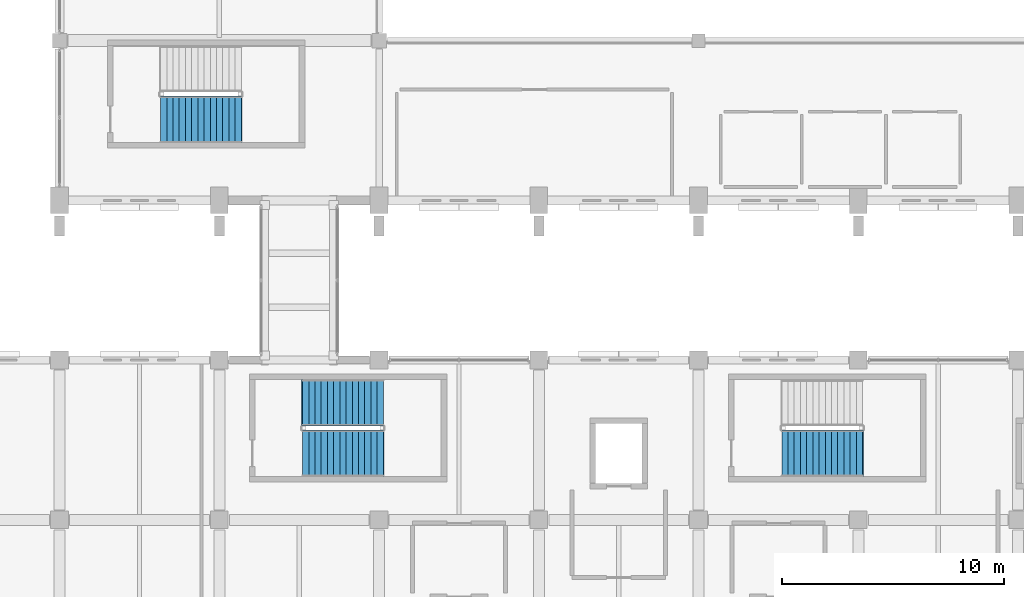
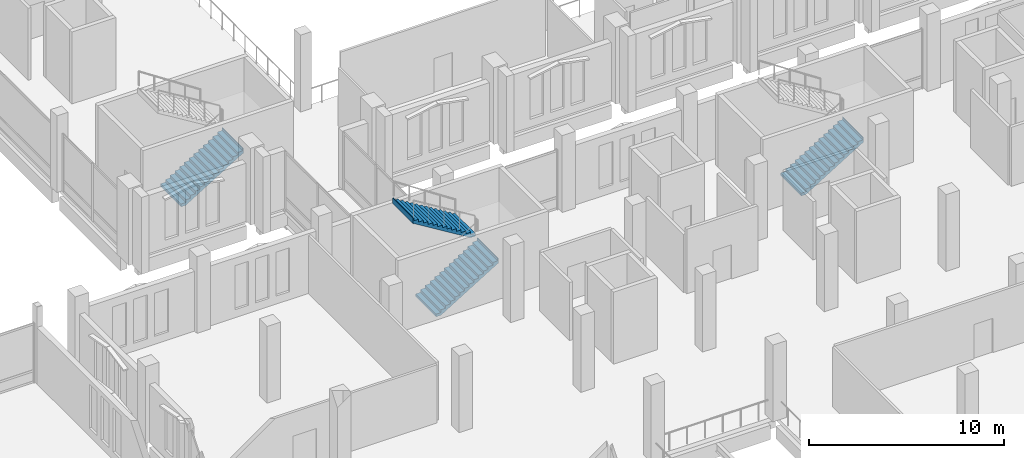
# One storey, part 187 of 220: 4 stair flights, 3 elements without a shape of their own.
"""IFC4 building model written with IfcOpenShell, lengths in metres."""

from ifc_helpers import new_model, si_unit, direction, frame, origin, place, context, subcontext, project, spatial, triangles, material, type_object, element, aggregate, save


model = new_model("IFC4")

# Units and contexts
model_context = context("Model", 3, precision=1e-05, world=origin(), true_north=direction((0.0, 1.0)))
body_context = subcontext(model_context, "Body", "Model", "MODEL_VIEW")
ifc_project = project(units=[si_unit("LENGTHUNIT", "METRE"), si_unit("AREAUNIT", "SQUARE_METRE"), si_unit("VOLUMEUNIT", "CUBIC_METRE"), si_unit("PLANEANGLEUNIT", "RADIAN"), si_unit("MASSUNIT", "GRAM", prefix="KILO")], contexts=[model_context])

# Site, building, storey
site_placement = place(None, origin())
site = spatial("IfcSite", under=ifc_project, at=site_placement, CompositionType="ELEMENT")
building_placement = place(site_placement, origin())
building = spatial("IfcBuilding", under=site, at=building_placement, Name="Cendralis Lancet Convention Centre", CompositionType="ELEMENT")
storey_placement = place(building_placement, frame((0.0, 0.0, 5.39990234375)))
storey = spatial("IfcBuildingStorey", under=building, at=storey_placement, Name="L01", CompositionType="ELEMENT", Elevation=5.39990234375)

# Stair, stair flight
ifc_material = material(Name="Concrete G35 (C35/45)", Category="concrete")
stair_type = type_object("IfcStairType", Name="ARC-ST-CORE", PredefinedType="HALF_TURN_STAIR", material=ifc_material)
stair_1_placement = place(storey_placement, origin())
stair_1 = element("IfcStair", 1, at=stair_1_placement, inside=storey, type_object=stair_type, Name="L01 Protected Exit Stair ST-08", PredefinedType="HALF_TURN_STAIR")
stair_flight_type = type_object("IfcStairFlightType", Name="ARC-SF-CORE", PredefinedType="STRAIGHT", material=ifc_material)
stair_flight_1_placement = place(storey_placement, frame((143.75, 46.85009765625, 0.0), z_axis=(0.0, 0.0, 1.0), x_axis=(1.0, 0.0, 0.0)))
stair_flight_1 = element("IfcStairFlight", 2, at=stair_flight_1_placement, type_object=stair_flight_type, Name="ST-08 flight 1", NumberOfRisers=14, NumberOfTreads=13, PredefinedType="STRAIGHT", RiserHeight=0.171428571, TreadLength=0.28, context=body_context, shape_type="Tessellation", body=[
    triangles([(0.0, 0.0, 0.085714), (0.0, 1.050049, 0.0), (0.0, -1.050049, 0.0), (0.0, -1.050049, 0.171429), (0.0, 1.050049, 0.171429), (0.14, 0.0, 0.171429), (0.28, -1.050049, 0.171429), (0.28, 1.050049, 0.171429), (0.14, 0.0, 0.0), (0.28, -1.050049, 0.0), (0.28, 1.050049, 0.0), (0.28, 0.0, 0.257143), (0.28, -1.050049, 0.342857), (0.28, 1.050049, 0.342857), (0.283543, 0.0, 0.342857), (0.287085, -1.050049, 0.342857), (0.287085, 1.050049, 0.342857), (0.283543, 0.0, 0.0), (0.287085, -1.050049, 0.0), (0.287085, 1.050049, 0.0), (0.423543, 0.0, 0.342857), (0.56, -1.050049, 0.342857), (0.56, 1.050049, 0.342857), (0.423543, 0.0, 0.083545), (0.56, -1.050049, 0.167091), (0.56, 1.050049, 0.167091), (0.56, 0.0, 0.428572), (0.56, -1.050049, 0.514286), (0.56, 1.050049, 0.514286), (0.7, 0.0, 0.514286), (0.84, -1.050049, 0.514286), (0.84, 1.050049, 0.514286), (0.7, 0.0, 0.252806), (0.84, -1.050049, 0.33852), (0.84, 1.050049, 0.33852), (0.84, 0.0, 0.6), (0.84, -1.050049, 0.685714), (0.84, 1.050049, 0.685714), (0.98, 0.0, 0.685714), (1.12, -1.050049, 0.685714), (1.12, 1.050049, 0.685714), (0.98, 0.0, 0.424234), (1.12, -1.050049, 0.509948), (1.12, 1.050049, 0.509948), (1.12, 0.0, 0.771429), (1.12, -1.050049, 0.857143), (1.12, 1.050049, 0.857143), (1.26, 0.0, 0.857143), (1.4, -1.050049, 0.857143), (1.4, 1.050049, 0.857143), (1.26, 0.0, 0.595662), (1.4, -1.050049, 0.681377), (1.4, 1.050049, 0.681377), (1.4, 0.0, 0.942857), (1.4, -1.050049, 1.028571), (1.4, 1.050049, 1.028571), (1.54, 0.0, 1.028571), (1.68, -1.050049, 1.028571), (1.68, 1.050049, 1.028571), (1.54, 0.0, 0.767091), (1.68, -1.050049, 0.852805), (1.68, 1.050049, 0.852805), (1.68, 0.0, 1.114286), (1.68, -1.050049, 1.2), (1.68, 1.050049, 1.2), (1.82, 0.0, 1.2), (1.96, -1.050049, 1.2), (1.96, 1.050049, 1.2), (1.82, 0.0, 0.938519), (1.96, -1.050049, 1.024234), (1.96, 1.050049, 1.024234), (1.96, 0.0, 1.285715), (1.96, -1.050049, 1.371429), (1.96, 1.050049, 1.371429), (2.1, 0.0, 1.371429), (2.24, -1.050049, 1.371429), (2.24, 1.050049, 1.371429), (2.1, 0.0, 1.109948), (2.24, -1.050049, 1.195662), (2.24, 1.050049, 1.195662), (2.24, 0.0, 1.457143), (2.24, -1.050049, 1.542857), (2.24, 1.050049, 1.542857), (2.38, 0.0, 1.542857), (2.52, -1.050049, 1.542857), (2.52, 1.050049, 1.542857), (2.38, 0.0, 1.281376), (2.52, -1.050049, 1.367091), (2.52, 1.050049, 1.367091), (2.52, 0.0, 1.628572), (2.52, -1.050049, 1.714286), (2.52, 1.050049, 1.714286), (2.66, 0.0, 1.714286), (2.8, -1.050049, 1.714286), (2.8, 1.050049, 1.714286), (2.66, 0.0, 1.452806), (2.8, -1.050049, 1.53852), (2.8, 1.050049, 1.53852), (2.8, 0.0, 1.8), (2.8, -1.050049, 1.885714), (2.8, 1.050049, 1.885714), (2.94, 0.0, 1.885714), (3.08, -1.050049, 1.885714), (3.08, 1.050049, 1.885714), (2.94, 0.0, 1.624234), (3.08, -1.050049, 1.709948), (3.08, 1.050049, 1.709948), (3.08, 0.0, 1.971429), (3.08, -1.050049, 2.057143), (3.08, 1.050049, 2.057143), (3.22, 0.0, 2.057143), (3.36, -1.050049, 2.057143), (3.36, 1.050049, 2.057143), (3.22, 0.0, 1.795663), (3.36, -1.050049, 1.881377), (3.36, 1.050049, 1.881377), (3.36, 0.0, 2.142857), (3.36, -1.050049, 2.228571), (3.36, 1.050049, 2.228571), (3.5, 0.0, 2.228571), (3.64, -1.050049, 2.228571), (3.64, 1.050049, 2.228571), (3.5, 0.0, 1.967091), (3.64, -1.050049, 2.052805), (3.64, 1.050049, 2.052805), (3.64, 0.0, 2.314285), (3.64, -1.050049, 2.4), (3.64, 1.050049, 2.4), (3.66, 0.0, 2.4), (3.68, -1.050049, 2.4), (3.68, 1.050049, 2.4), (3.66, 0.0, 2.052805), (3.68, -1.050049, 2.052805), (3.68, 1.050049, 2.052805), (3.68, 0.0, 2.226403)], [[2, 3, 1], [3, 4, 1], [4, 5, 1], [5, 2, 1], [4, 7, 6], [7, 8, 6], [8, 5, 6], [5, 4, 6], [10, 3, 9], [3, 2, 9], [2, 11, 9], [11, 10, 9], [3, 10, 7], [3, 7, 4], [2, 8, 11], [2, 5, 8], [8, 7, 12], [7, 13, 12], [13, 14, 12], [14, 8, 12], [13, 16, 15], [16, 17, 15], [17, 14, 15], [14, 13, 15], [19, 10, 18], [10, 11, 18], [11, 20, 18], [20, 19, 18], [10, 19, 16], [10, 16, 7], [7, 16, 13], [11, 17, 20], [11, 8, 17], [8, 14, 17], [16, 22, 21], [22, 23, 21], [23, 17, 21], [17, 16, 21], [25, 19, 24], [19, 20, 24], [20, 26, 24], [26, 25, 24], [19, 25, 22], [19, 22, 16], [20, 23, 26], [20, 17, 23], [23, 22, 27], [22, 28, 27], [28, 29, 27], [29, 23, 27], [28, 31, 30], [31, 32, 30], [32, 29, 30], [29, 28, 30], [34, 25, 33], [25, 26, 33], [26, 35, 33], [35, 34, 33], [25, 34, 31], [25, 31, 22], [22, 31, 28], [26, 32, 35], [26, 23, 32], [23, 29, 32], [32, 31, 36], [31, 37, 36], [37, 38, 36], [38, 32, 36], [37, 40, 39], [40, 41, 39], [41, 38, 39], [38, 37, 39], [43, 34, 42], [34, 35, 42], [35, 44, 42], [44, 43, 42], [34, 43, 40], [34, 40, 31], [31, 40, 37], [35, 41, 44], [35, 32, 41], [32, 38, 41], [41, 40, 45], [40, 46, 45], [46, 47, 45], [47, 41, 45], [46, 49, 48], [49, 50, 48], [50, 47, 48], [47, 46, 48], [52, 43, 51], [43, 44, 51], [44, 53, 51], [53, 52, 51], [43, 52, 49], [43, 49, 40], [40, 49, 46], [44, 50, 53], [44, 41, 50], [41, 47, 50], [50, 49, 54], [49, 55, 54], [55, 56, 54], [56, 50, 54], [55, 58, 57], [58, 59, 57], [59, 56, 57], [56, 55, 57], [61, 52, 60], [52, 53, 60], [53, 62, 60], [62, 61, 60], [52, 61, 58], [52, 58, 49], [49, 58, 55], [53, 59, 62], [53, 50, 59], [50, 56, 59], [59, 58, 63], [58, 64, 63], [64, 65, 63], [65, 59, 63], [64, 67, 66], [67, 68, 66], [68, 65, 66], [65, 64, 66], [70, 61, 69], [61, 62, 69], [62, 71, 69], [71, 70, 69], [61, 70, 67], [61, 67, 58], [58, 67, 64], [62, 68, 71], [62, 59, 68], [59, 65, 68], [68, 67, 72], [67, 73, 72], [73, 74, 72], [74, 68, 72], [73, 76, 75], [76, 77, 75], [77, 74, 75], [74, 73, 75], [79, 70, 78], [70, 71, 78], [71, 80, 78], [80, 79, 78], [70, 79, 76], [70, 76, 67], [67, 76, 73], [71, 77, 80], [71, 68, 77], [68, 74, 77], [77, 76, 81], [76, 82, 81], [82, 83, 81], [83, 77, 81], [82, 85, 84], [85, 86, 84], [86, 83, 84], [83, 82, 84], [88, 79, 87], [79, 80, 87], [80, 89, 87], [89, 88, 87], [79, 88, 85], [79, 85, 76], [76, 85, 82], [80, 86, 89], [80, 77, 86], [77, 83, 86], [86, 85, 90], [85, 91, 90], [91, 92, 90], [92, 86, 90], [91, 94, 93], [94, 95, 93], [95, 92, 93], [92, 91, 93], [97, 88, 96], [88, 89, 96], [89, 98, 96], [98, 97, 96], [88, 97, 94], [88, 94, 85], [85, 94, 91], [89, 95, 98], [89, 86, 95], [86, 92, 95], [95, 94, 99], [94, 100, 99], [100, 101, 99], [101, 95, 99], [100, 103, 102], [103, 104, 102], [104, 101, 102], [101, 100, 102], [106, 97, 105], [97, 98, 105], [98, 107, 105], [107, 106, 105], [97, 106, 103], [97, 103, 94], [94, 103, 100], [98, 104, 107], [98, 95, 104], [95, 101, 104], [104, 103, 108], [103, 109, 108], [109, 110, 108], [110, 104, 108], [109, 112, 111], [112, 113, 111], [113, 110, 111], [110, 109, 111], [115, 106, 114], [106, 107, 114], [107, 116, 114], [116, 115, 114], [106, 115, 112], [106, 112, 103], [103, 112, 109], [107, 113, 116], [107, 104, 113], [104, 110, 113], [113, 112, 117], [112, 118, 117], [118, 119, 117], [119, 113, 117], [118, 121, 120], [121, 122, 120], [122, 119, 120], [119, 118, 120], [124, 115, 123], [115, 116, 123], [116, 125, 123], [125, 124, 123], [115, 124, 121], [115, 121, 112], [112, 121, 118], [116, 122, 125], [116, 113, 122], [113, 119, 122], [122, 121, 126], [121, 127, 126], [127, 128, 126], [128, 122, 126], [127, 130, 129], [130, 131, 129], [131, 128, 129], [128, 127, 129], [133, 124, 132], [124, 125, 132], [125, 134, 132], [134, 133, 132], [124, 133, 130], [124, 130, 121], [121, 130, 127], [125, 131, 134], [125, 122, 131], [122, 128, 131], [133, 134, 135], [134, 131, 135], [131, 130, 135], [130, 133, 135]], closed=True),
])
aggregate(stair_1, [stair_flight_1])

# Stair, stair flights
stair_2_placement = place(storey_placement, origin())
stair_2 = element("IfcStair", 3, at=stair_2_placement, inside=storey, type_object=stair_type, Name="L01 Protected Exit Stair ST-13", PredefinedType="HALF_TURN_STAIR")
stair_flight_2_placement = place(storey_placement, frame((150.14990234375, 31.800048828125, 0.0), z_axis=(0.0, 0.0, 1.0), x_axis=(1.0, 0.0, 0.0)))
stair_flight_2 = element("IfcStairFlight", 4, at=stair_flight_2_placement, type_object=stair_flight_type, Name="ST-13 flight 1", NumberOfRisers=14, NumberOfTreads=13, PredefinedType="STRAIGHT", RiserHeight=0.171428571, TreadLength=0.28, context=body_context, shape_type="Tessellation", body=[
    triangles([(0.0, 0.0, 0.085714), (0.0, 1.050049, 0.0), (0.0, -1.050049, 0.0), (0.0, -1.050049, 0.171429), (0.0, 1.050049, 0.171429), (0.14, 0.0, 0.171429), (0.28, -1.050049, 0.171429), (0.28, 1.050049, 0.171429), (0.14, 0.0, 0.0), (0.28, -1.050049, 0.0), (0.28, 1.050049, 0.0), (0.28, 0.0, 0.257143), (0.28, -1.050049, 0.342857), (0.28, 1.050049, 0.342857), (0.283543, 0.0, 0.342857), (0.287085, -1.050049, 0.342857), (0.287085, 1.050049, 0.342857), (0.283543, 0.0, 0.0), (0.287085, -1.050049, 0.0), (0.287085, 1.050049, 0.0), (0.423543, 0.0, 0.342857), (0.56, -1.050049, 0.342857), (0.56, 1.050049, 0.342857), (0.423543, 0.0, 0.083545), (0.56, -1.050049, 0.167091), (0.56, 1.050049, 0.167091), (0.56, 0.0, 0.428572), (0.56, -1.050049, 0.514286), (0.56, 1.050049, 0.514286), (0.7, 0.0, 0.514286), (0.84, -1.050049, 0.514286), (0.84, 1.050049, 0.514286), (0.7, 0.0, 0.252806), (0.84, -1.050049, 0.33852), (0.84, 1.050049, 0.33852), (0.84, 0.0, 0.6), (0.84, -1.050049, 0.685714), (0.84, 1.050049, 0.685714), (0.98, 0.0, 0.685714), (1.12, -1.050049, 0.685714), (1.12, 1.050049, 0.685714), (0.98, 0.0, 0.424234), (1.12, -1.050049, 0.509948), (1.12, 1.050049, 0.509948), (1.12, 0.0, 0.771429), (1.12, -1.050049, 0.857143), (1.12, 1.050049, 0.857143), (1.26, 0.0, 0.857143), (1.4, -1.050049, 0.857143), (1.4, 1.050049, 0.857143), (1.26, 0.0, 0.595662), (1.4, -1.050049, 0.681377), (1.4, 1.050049, 0.681377), (1.4, 0.0, 0.942857), (1.4, -1.050049, 1.028571), (1.4, 1.050049, 1.028571), (1.54, 0.0, 1.028571), (1.68, -1.050049, 1.028571), (1.68, 1.050049, 1.028571), (1.54, 0.0, 0.767091), (1.68, -1.050049, 0.852805), (1.68, 1.050049, 0.852805), (1.68, 0.0, 1.114286), (1.68, -1.050049, 1.2), (1.68, 1.050049, 1.2), (1.82, 0.0, 1.2), (1.96, -1.050049, 1.2), (1.96, 1.050049, 1.2), (1.82, 0.0, 0.938519), (1.96, -1.050049, 1.024234), (1.96, 1.050049, 1.024234), (1.96, 0.0, 1.285715), (1.96, -1.050049, 1.371429), (1.96, 1.050049, 1.371429), (2.1, 0.0, 1.371429), (2.24, -1.050049, 1.371429), (2.24, 1.050049, 1.371429), (2.1, 0.0, 1.109948), (2.24, -1.050049, 1.195662), (2.24, 1.050049, 1.195662), (2.24, 0.0, 1.457143), (2.24, -1.050049, 1.542857), (2.24, 1.050049, 1.542857), (2.38, 0.0, 1.542857), (2.52, -1.050049, 1.542857), (2.52, 1.050049, 1.542857), (2.38, 0.0, 1.281376), (2.52, -1.050049, 1.367091), (2.52, 1.050049, 1.367091), (2.52, 0.0, 1.628572), (2.52, -1.050049, 1.714286), (2.52, 1.050049, 1.714286), (2.66, 0.0, 1.714286), (2.8, -1.050049, 1.714286), (2.8, 1.050049, 1.714286), (2.66, 0.0, 1.452806), (2.8, -1.050049, 1.53852), (2.8, 1.050049, 1.53852), (2.8, 0.0, 1.8), (2.8, -1.050049, 1.885714), (2.8, 1.050049, 1.885714), (2.94, 0.0, 1.885714), (3.08, -1.050049, 1.885714), (3.08, 1.050049, 1.885714), (2.94, 0.0, 1.624234), (3.08, -1.050049, 1.709948), (3.08, 1.050049, 1.709948), (3.08, 0.0, 1.971429), (3.08, -1.050049, 2.057143), (3.08, 1.050049, 2.057143), (3.22, 0.0, 2.057143), (3.36, -1.050049, 2.057143), (3.36, 1.050049, 2.057143), (3.22, 0.0, 1.795663), (3.36, -1.050049, 1.881377), (3.36, 1.050049, 1.881377), (3.36, 0.0, 2.142857), (3.36, -1.050049, 2.228571), (3.36, 1.050049, 2.228571), (3.5, 0.0, 2.228571), (3.64, -1.050049, 2.228571), (3.64, 1.050049, 2.228571), (3.5, 0.0, 1.967091), (3.64, -1.050049, 2.052805), (3.64, 1.050049, 2.052805), (3.64, 0.0, 2.314285), (3.64, -1.050049, 2.4), (3.64, 1.050049, 2.4), (3.66, 0.0, 2.4), (3.68, -1.050049, 2.4), (3.68, 1.050049, 2.4), (3.66, 0.0, 2.052805), (3.68, -1.050049, 2.052805), (3.68, 1.050049, 2.052805), (3.68, 0.0, 2.226403)], [[2, 3, 1], [3, 4, 1], [4, 5, 1], [5, 2, 1], [4, 7, 6], [7, 8, 6], [8, 5, 6], [5, 4, 6], [10, 3, 9], [3, 2, 9], [2, 11, 9], [11, 10, 9], [3, 10, 7], [3, 7, 4], [2, 8, 11], [2, 5, 8], [8, 7, 12], [7, 13, 12], [13, 14, 12], [14, 8, 12], [13, 16, 15], [16, 17, 15], [17, 14, 15], [14, 13, 15], [19, 10, 18], [10, 11, 18], [11, 20, 18], [20, 19, 18], [10, 19, 16], [10, 16, 7], [7, 16, 13], [11, 17, 20], [11, 8, 17], [8, 14, 17], [16, 22, 21], [22, 23, 21], [23, 17, 21], [17, 16, 21], [25, 19, 24], [19, 20, 24], [20, 26, 24], [26, 25, 24], [19, 25, 22], [19, 22, 16], [20, 23, 26], [20, 17, 23], [23, 22, 27], [22, 28, 27], [28, 29, 27], [29, 23, 27], [28, 31, 30], [31, 32, 30], [32, 29, 30], [29, 28, 30], [34, 25, 33], [25, 26, 33], [26, 35, 33], [35, 34, 33], [25, 34, 31], [25, 31, 22], [22, 31, 28], [26, 32, 35], [26, 23, 32], [23, 29, 32], [32, 31, 36], [31, 37, 36], [37, 38, 36], [38, 32, 36], [37, 40, 39], [40, 41, 39], [41, 38, 39], [38, 37, 39], [43, 34, 42], [34, 35, 42], [35, 44, 42], [44, 43, 42], [34, 43, 40], [34, 40, 31], [31, 40, 37], [35, 41, 44], [35, 32, 41], [32, 38, 41], [41, 40, 45], [40, 46, 45], [46, 47, 45], [47, 41, 45], [46, 49, 48], [49, 50, 48], [50, 47, 48], [47, 46, 48], [52, 43, 51], [43, 44, 51], [44, 53, 51], [53, 52, 51], [43, 52, 49], [43, 49, 40], [40, 49, 46], [44, 50, 53], [44, 41, 50], [41, 47, 50], [50, 49, 54], [49, 55, 54], [55, 56, 54], [56, 50, 54], [55, 58, 57], [58, 59, 57], [59, 56, 57], [56, 55, 57], [61, 52, 60], [52, 53, 60], [53, 62, 60], [62, 61, 60], [52, 61, 58], [52, 58, 49], [49, 58, 55], [53, 59, 62], [53, 50, 59], [50, 56, 59], [59, 58, 63], [58, 64, 63], [64, 65, 63], [65, 59, 63], [64, 67, 66], [67, 68, 66], [68, 65, 66], [65, 64, 66], [70, 61, 69], [61, 62, 69], [62, 71, 69], [71, 70, 69], [61, 70, 67], [61, 67, 58], [58, 67, 64], [62, 68, 71], [62, 59, 68], [59, 65, 68], [68, 67, 72], [67, 73, 72], [73, 74, 72], [74, 68, 72], [73, 76, 75], [76, 77, 75], [77, 74, 75], [74, 73, 75], [79, 70, 78], [70, 71, 78], [71, 80, 78], [80, 79, 78], [70, 79, 76], [70, 76, 67], [67, 76, 73], [71, 77, 80], [71, 68, 77], [68, 74, 77], [77, 76, 81], [76, 82, 81], [82, 83, 81], [83, 77, 81], [82, 85, 84], [85, 86, 84], [86, 83, 84], [83, 82, 84], [88, 79, 87], [79, 80, 87], [80, 89, 87], [89, 88, 87], [79, 88, 85], [79, 85, 76], [76, 85, 82], [80, 86, 89], [80, 77, 86], [77, 83, 86], [86, 85, 90], [85, 91, 90], [91, 92, 90], [92, 86, 90], [91, 94, 93], [94, 95, 93], [95, 92, 93], [92, 91, 93], [97, 88, 96], [88, 89, 96], [89, 98, 96], [98, 97, 96], [88, 97, 94], [88, 94, 85], [85, 94, 91], [89, 95, 98], [89, 86, 95], [86, 92, 95], [95, 94, 99], [94, 100, 99], [100, 101, 99], [101, 95, 99], [100, 103, 102], [103, 104, 102], [104, 101, 102], [101, 100, 102], [106, 97, 105], [97, 98, 105], [98, 107, 105], [107, 106, 105], [97, 106, 103], [97, 103, 94], [94, 103, 100], [98, 104, 107], [98, 95, 104], [95, 101, 104], [104, 103, 108], [103, 109, 108], [109, 110, 108], [110, 104, 108], [109, 112, 111], [112, 113, 111], [113, 110, 111], [110, 109, 111], [115, 106, 114], [106, 107, 114], [107, 116, 114], [116, 115, 114], [106, 115, 112], [106, 112, 103], [103, 112, 109], [107, 113, 116], [107, 104, 113], [104, 110, 113], [113, 112, 117], [112, 118, 117], [118, 119, 117], [119, 113, 117], [118, 121, 120], [121, 122, 120], [122, 119, 120], [119, 118, 120], [124, 115, 123], [115, 116, 123], [116, 125, 123], [125, 124, 123], [115, 124, 121], [115, 121, 112], [112, 121, 118], [116, 122, 125], [116, 113, 122], [113, 119, 122], [122, 121, 126], [121, 127, 126], [127, 128, 126], [128, 122, 126], [127, 130, 129], [130, 131, 129], [131, 128, 129], [128, 127, 129], [133, 124, 132], [124, 125, 132], [125, 134, 132], [134, 133, 132], [124, 133, 130], [124, 130, 121], [121, 130, 127], [125, 131, 134], [125, 122, 131], [122, 128, 131], [133, 134, 135], [134, 131, 135], [131, 130, 135], [130, 133, 135]], closed=True),
])
stair_flight_3_placement = place(storey_placement, frame((153.7900390625, 34.080078125, 2.400146484375), z_axis=(0.0, 0.0, 1.0), x_axis=(-1.0, 0.0, 0.0)))
stair_flight_3 = element("IfcStairFlight", 5, at=stair_flight_3_placement, type_object=stair_flight_type, Name="ST-13 flight 2", NumberOfRisers=14, NumberOfTreads=13, PredefinedType="STRAIGHT", RiserHeight=0.171428571, TreadLength=0.28, context=body_context, shape_type="Tessellation", body=[
    triangles([(0.0, 0.0, 0.085714), (0.0, 1.050049, 0.0), (0.0, -1.050049, 0.0), (0.0, -1.050049, 0.171429), (0.0, 1.050049, 0.171429), (0.14, 0.0, 0.171429), (0.28, -1.050049, 0.171429), (0.28, 1.050049, 0.171429), (0.14, 0.0, 0.0), (0.28, -1.050049, 0.0), (0.28, 1.050049, 0.0), (0.28, 0.0, 0.257143), (0.28, -1.050049, 0.342857), (0.28, 1.050049, 0.342857), (0.283543, 0.0, 0.342857), (0.287085, -1.050049, 0.342857), (0.287085, 1.050049, 0.342857), (0.283543, 0.0, 0.0), (0.287085, -1.050049, 0.0), (0.287085, 1.050049, 0.0), (0.423543, 0.0, 0.342857), (0.56, -1.050049, 0.342857), (0.56, 1.050049, 0.342857), (0.423543, 0.0, 0.083545), (0.56, -1.050049, 0.167091), (0.56, 1.050049, 0.167091), (0.56, 0.0, 0.428572), (0.56, -1.050049, 0.514286), (0.56, 1.050049, 0.514286), (0.7, 0.0, 0.514286), (0.84, -1.050049, 0.514286), (0.84, 1.050049, 0.514286), (0.7, 0.0, 0.252806), (0.84, -1.050049, 0.33852), (0.84, 1.050049, 0.33852), (0.84, 0.0, 0.6), (0.84, -1.050049, 0.685714), (0.84, 1.050049, 0.685714), (0.98, 0.0, 0.685714), (1.12, -1.050049, 0.685714), (1.12, 1.050049, 0.685714), (0.98, 0.0, 0.424234), (1.12, -1.050049, 0.509948), (1.12, 1.050049, 0.509948), (1.12, 0.0, 0.771429), (1.12, -1.050049, 0.857143), (1.12, 1.050049, 0.857143), (1.26, 0.0, 0.857143), (1.4, -1.050049, 0.857143), (1.4, 1.050049, 0.857143), (1.26, 0.0, 0.595662), (1.4, -1.050049, 0.681377), (1.4, 1.050049, 0.681377), (1.4, 0.0, 0.942857), (1.4, -1.050049, 1.028571), (1.4, 1.050049, 1.028571), (1.54, 0.0, 1.028571), (1.68, -1.050049, 1.028571), (1.68, 1.050049, 1.028571), (1.54, 0.0, 0.767091), (1.68, -1.050049, 0.852805), (1.68, 1.050049, 0.852805), (1.68, 0.0, 1.114286), (1.68, -1.050049, 1.2), (1.68, 1.050049, 1.2), (1.82, 0.0, 1.2), (1.96, -1.050049, 1.2), (1.96, 1.050049, 1.2), (1.82, 0.0, 0.938519), (1.96, -1.050049, 1.024234), (1.96, 1.050049, 1.024234), (1.96, 0.0, 1.285715), (1.96, -1.050049, 1.371429), (1.96, 1.050049, 1.371429), (2.1, 0.0, 1.371429), (2.24, -1.050049, 1.371429), (2.24, 1.050049, 1.371429), (2.1, 0.0, 1.109948), (2.24, -1.050049, 1.195662), (2.24, 1.050049, 1.195662), (2.24, 0.0, 1.457143), (2.24, -1.050049, 1.542857), (2.24, 1.050049, 1.542857), (2.38, 0.0, 1.542857), (2.52, -1.050049, 1.542857), (2.52, 1.050049, 1.542857), (2.38, 0.0, 1.281376), (2.52, -1.050049, 1.367091), (2.52, 1.050049, 1.367091), (2.52, 0.0, 1.628572), (2.52, -1.050049, 1.714286), (2.52, 1.050049, 1.714286), (2.66, 0.0, 1.714286), (2.8, -1.050049, 1.714286), (2.8, 1.050049, 1.714286), (2.66, 0.0, 1.452806), (2.8, -1.050049, 1.53852), (2.8, 1.050049, 1.53852), (2.8, 0.0, 1.8), (2.8, -1.050049, 1.885714), (2.8, 1.050049, 1.885714), (2.94, 0.0, 1.885714), (3.08, -1.050049, 1.885714), (3.08, 1.050049, 1.885714), (2.94, 0.0, 1.624234), (3.08, -1.050049, 1.709948), (3.08, 1.050049, 1.709948), (3.08, 0.0, 1.971429), (3.08, -1.050049, 2.057143), (3.08, 1.050049, 2.057143), (3.22, 0.0, 2.057143), (3.36, -1.050049, 2.057143), (3.36, 1.050049, 2.057143), (3.22, 0.0, 1.795663), (3.36, -1.050049, 1.881377), (3.36, 1.050049, 1.881377), (3.36, 0.0, 2.142857), (3.36, -1.050049, 2.228571), (3.36, 1.050049, 2.228571), (3.5, 0.0, 2.228571), (3.64, -1.050049, 2.228571), (3.64, 1.050049, 2.228571), (3.5, 0.0, 1.967091), (3.64, -1.050049, 2.052805), (3.64, 1.050049, 2.052805), (3.64, 0.0, 2.314285), (3.64, -1.050049, 2.4), (3.64, 1.050049, 2.4), (3.66, 0.0, 2.4), (3.68, -1.050049, 2.4), (3.68, 1.050049, 2.4), (3.66, 0.0, 2.052805), (3.68, -1.050049, 2.052805), (3.68, 1.050049, 2.052805), (3.68, 0.0, 2.226403)], [[2, 3, 1], [3, 4, 1], [4, 5, 1], [5, 2, 1], [4, 7, 6], [7, 8, 6], [8, 5, 6], [5, 4, 6], [10, 3, 9], [3, 2, 9], [2, 11, 9], [11, 10, 9], [3, 10, 7], [3, 7, 4], [2, 8, 11], [2, 5, 8], [8, 7, 12], [7, 13, 12], [13, 14, 12], [14, 8, 12], [13, 16, 15], [16, 17, 15], [17, 14, 15], [14, 13, 15], [19, 10, 18], [10, 11, 18], [11, 20, 18], [20, 19, 18], [10, 19, 16], [10, 16, 7], [7, 16, 13], [11, 17, 20], [11, 8, 17], [8, 14, 17], [16, 22, 21], [22, 23, 21], [23, 17, 21], [17, 16, 21], [25, 19, 24], [19, 20, 24], [20, 26, 24], [26, 25, 24], [19, 25, 22], [19, 22, 16], [20, 23, 26], [20, 17, 23], [23, 22, 27], [22, 28, 27], [28, 29, 27], [29, 23, 27], [28, 31, 30], [31, 32, 30], [32, 29, 30], [29, 28, 30], [34, 25, 33], [25, 26, 33], [26, 35, 33], [35, 34, 33], [25, 34, 31], [25, 31, 22], [22, 31, 28], [26, 32, 35], [26, 23, 32], [23, 29, 32], [32, 31, 36], [31, 37, 36], [37, 38, 36], [38, 32, 36], [37, 40, 39], [40, 41, 39], [41, 38, 39], [38, 37, 39], [43, 34, 42], [34, 35, 42], [35, 44, 42], [44, 43, 42], [34, 43, 40], [34, 40, 31], [31, 40, 37], [35, 41, 44], [35, 32, 41], [32, 38, 41], [41, 40, 45], [40, 46, 45], [46, 47, 45], [47, 41, 45], [46, 49, 48], [49, 50, 48], [50, 47, 48], [47, 46, 48], [52, 43, 51], [43, 44, 51], [44, 53, 51], [53, 52, 51], [43, 52, 49], [43, 49, 40], [40, 49, 46], [44, 50, 53], [44, 41, 50], [41, 47, 50], [50, 49, 54], [49, 55, 54], [55, 56, 54], [56, 50, 54], [55, 58, 57], [58, 59, 57], [59, 56, 57], [56, 55, 57], [61, 52, 60], [52, 53, 60], [53, 62, 60], [62, 61, 60], [52, 61, 58], [52, 58, 49], [49, 58, 55], [53, 59, 62], [53, 50, 59], [50, 56, 59], [59, 58, 63], [58, 64, 63], [64, 65, 63], [65, 59, 63], [64, 67, 66], [67, 68, 66], [68, 65, 66], [65, 64, 66], [70, 61, 69], [61, 62, 69], [62, 71, 69], [71, 70, 69], [61, 70, 67], [61, 67, 58], [58, 67, 64], [62, 68, 71], [62, 59, 68], [59, 65, 68], [68, 67, 72], [67, 73, 72], [73, 74, 72], [74, 68, 72], [73, 76, 75], [76, 77, 75], [77, 74, 75], [74, 73, 75], [79, 70, 78], [70, 71, 78], [71, 80, 78], [80, 79, 78], [70, 79, 76], [70, 76, 67], [67, 76, 73], [71, 77, 80], [71, 68, 77], [68, 74, 77], [77, 76, 81], [76, 82, 81], [82, 83, 81], [83, 77, 81], [82, 85, 84], [85, 86, 84], [86, 83, 84], [83, 82, 84], [88, 79, 87], [79, 80, 87], [80, 89, 87], [89, 88, 87], [79, 88, 85], [79, 85, 76], [76, 85, 82], [80, 86, 89], [80, 77, 86], [77, 83, 86], [86, 85, 90], [85, 91, 90], [91, 92, 90], [92, 86, 90], [91, 94, 93], [94, 95, 93], [95, 92, 93], [92, 91, 93], [97, 88, 96], [88, 89, 96], [89, 98, 96], [98, 97, 96], [88, 97, 94], [88, 94, 85], [85, 94, 91], [89, 95, 98], [89, 86, 95], [86, 92, 95], [95, 94, 99], [94, 100, 99], [100, 101, 99], [101, 95, 99], [100, 103, 102], [103, 104, 102], [104, 101, 102], [101, 100, 102], [106, 97, 105], [97, 98, 105], [98, 107, 105], [107, 106, 105], [97, 106, 103], [97, 103, 94], [94, 103, 100], [98, 104, 107], [98, 95, 104], [95, 101, 104], [104, 103, 108], [103, 109, 108], [109, 110, 108], [110, 104, 108], [109, 112, 111], [112, 113, 111], [113, 110, 111], [110, 109, 111], [115, 106, 114], [106, 107, 114], [107, 116, 114], [116, 115, 114], [106, 115, 112], [106, 112, 103], [103, 112, 109], [107, 113, 116], [107, 104, 113], [104, 110, 113], [113, 112, 117], [112, 118, 117], [118, 119, 117], [119, 113, 117], [118, 121, 120], [121, 122, 120], [122, 119, 120], [119, 118, 120], [124, 115, 123], [115, 116, 123], [116, 125, 123], [125, 124, 123], [115, 124, 121], [115, 121, 112], [112, 121, 118], [116, 122, 125], [116, 113, 122], [113, 119, 122], [122, 121, 126], [121, 127, 126], [127, 128, 126], [128, 122, 126], [127, 130, 129], [130, 131, 129], [131, 128, 129], [128, 127, 129], [133, 124, 132], [124, 125, 132], [125, 134, 132], [134, 133, 132], [124, 133, 130], [124, 130, 121], [121, 130, 127], [125, 131, 134], [125, 122, 131], [122, 128, 131], [133, 134, 135], [134, 131, 135], [131, 130, 135], [130, 133, 135]], closed=True),
])
aggregate(stair_2, [stair_flight_2, stair_flight_3])

# Stair, stair flight
stair_3_placement = place(storey_placement, origin())
stair_3 = element("IfcStair", 6, at=stair_3_placement, inside=storey, type_object=stair_type, Name="L01 Protected Exit Stair ST-14", PredefinedType="HALF_TURN_STAIR")
stair_flight_4_placement = place(storey_placement, frame((171.75, 31.800048828125, 0.0), z_axis=(0.0, 0.0, 1.0), x_axis=(1.0, 0.0, 0.0)))
stair_flight_4 = element("IfcStairFlight", 7, at=stair_flight_4_placement, type_object=stair_flight_type, Name="ST-14 flight 1", NumberOfRisers=14, NumberOfTreads=13, PredefinedType="STRAIGHT", RiserHeight=0.171428571, TreadLength=0.28, context=body_context, shape_type="Tessellation", body=[
    triangles([(0.0, 0.0, 0.085714), (0.0, 1.050049, 0.0), (0.0, -1.050049, 0.0), (0.0, -1.050049, 0.171429), (0.0, 1.050049, 0.171429), (0.14, 0.0, 0.171429), (0.28, -1.050049, 0.171429), (0.28, 1.050049, 0.171429), (0.14, 0.0, 0.0), (0.28, -1.050049, 0.0), (0.28, 1.050049, 0.0), (0.28, 0.0, 0.257143), (0.28, -1.050049, 0.342857), (0.28, 1.050049, 0.342857), (0.283543, 0.0, 0.342857), (0.287085, -1.050049, 0.342857), (0.287085, 1.050049, 0.342857), (0.283543, 0.0, 0.0), (0.287085, -1.050049, 0.0), (0.287085, 1.050049, 0.0), (0.423543, 0.0, 0.342857), (0.56, -1.050049, 0.342857), (0.56, 1.050049, 0.342857), (0.423543, 0.0, 0.083545), (0.56, -1.050049, 0.167091), (0.56, 1.050049, 0.167091), (0.56, 0.0, 0.428572), (0.56, -1.050049, 0.514286), (0.56, 1.050049, 0.514286), (0.7, 0.0, 0.514286), (0.84, -1.050049, 0.514286), (0.84, 1.050049, 0.514286), (0.7, 0.0, 0.252806), (0.84, -1.050049, 0.33852), (0.84, 1.050049, 0.33852), (0.84, 0.0, 0.6), (0.84, -1.050049, 0.685714), (0.84, 1.050049, 0.685714), (0.98, 0.0, 0.685714), (1.12, -1.050049, 0.685714), (1.12, 1.050049, 0.685714), (0.98, 0.0, 0.424234), (1.12, -1.050049, 0.509948), (1.12, 1.050049, 0.509948), (1.12, 0.0, 0.771429), (1.12, -1.050049, 0.857143), (1.12, 1.050049, 0.857143), (1.26, 0.0, 0.857143), (1.4, -1.050049, 0.857143), (1.4, 1.050049, 0.857143), (1.26, 0.0, 0.595662), (1.4, -1.050049, 0.681377), (1.4, 1.050049, 0.681377), (1.4, 0.0, 0.942857), (1.4, -1.050049, 1.028571), (1.4, 1.050049, 1.028571), (1.54, 0.0, 1.028571), (1.68, -1.050049, 1.028571), (1.68, 1.050049, 1.028571), (1.54, 0.0, 0.767091), (1.68, -1.050049, 0.852805), (1.68, 1.050049, 0.852805), (1.68, 0.0, 1.114286), (1.68, -1.050049, 1.2), (1.68, 1.050049, 1.2), (1.82, 0.0, 1.2), (1.96, -1.050049, 1.2), (1.96, 1.050049, 1.2), (1.82, 0.0, 0.938519), (1.96, -1.050049, 1.024234), (1.96, 1.050049, 1.024234), (1.96, 0.0, 1.285715), (1.96, -1.050049, 1.371429), (1.96, 1.050049, 1.371429), (2.1, 0.0, 1.371429), (2.24, -1.050049, 1.371429), (2.24, 1.050049, 1.371429), (2.1, 0.0, 1.109948), (2.24, -1.050049, 1.195662), (2.24, 1.050049, 1.195662), (2.24, 0.0, 1.457143), (2.24, -1.050049, 1.542857), (2.24, 1.050049, 1.542857), (2.38, 0.0, 1.542857), (2.52, -1.050049, 1.542857), (2.52, 1.050049, 1.542857), (2.38, 0.0, 1.281376), (2.52, -1.050049, 1.367091), (2.52, 1.050049, 1.367091), (2.52, 0.0, 1.628572), (2.52, -1.050049, 1.714286), (2.52, 1.050049, 1.714286), (2.66, 0.0, 1.714286), (2.8, -1.050049, 1.714286), (2.8, 1.050049, 1.714286), (2.66, 0.0, 1.452806), (2.8, -1.050049, 1.53852), (2.8, 1.050049, 1.53852), (2.8, 0.0, 1.8), (2.8, -1.050049, 1.885714), (2.8, 1.050049, 1.885714), (2.94, 0.0, 1.885714), (3.08, -1.050049, 1.885714), (3.08, 1.050049, 1.885714), (2.94, 0.0, 1.624234), (3.08, -1.050049, 1.709948), (3.08, 1.050049, 1.709948), (3.08, 0.0, 1.971429), (3.08, -1.050049, 2.057143), (3.08, 1.050049, 2.057143), (3.22, 0.0, 2.057143), (3.36, -1.050049, 2.057143), (3.36, 1.050049, 2.057143), (3.22, 0.0, 1.795663), (3.36, -1.050049, 1.881377), (3.36, 1.050049, 1.881377), (3.36, 0.0, 2.142857), (3.36, -1.050049, 2.228571), (3.36, 1.050049, 2.228571), (3.5, 0.0, 2.228571), (3.64, -1.050049, 2.228571), (3.64, 1.050049, 2.228571), (3.5, 0.0, 1.967091), (3.64, -1.050049, 2.052805), (3.64, 1.050049, 2.052805), (3.64, 0.0, 2.314285), (3.64, -1.050049, 2.4), (3.64, 1.050049, 2.4), (3.66, 0.0, 2.4), (3.68, -1.050049, 2.4), (3.68, 1.050049, 2.4), (3.66, 0.0, 2.052805), (3.68, -1.050049, 2.052805), (3.68, 1.050049, 2.052805), (3.68, 0.0, 2.226403)], [[2, 3, 1], [3, 4, 1], [4, 5, 1], [5, 2, 1], [4, 7, 6], [7, 8, 6], [8, 5, 6], [5, 4, 6], [10, 3, 9], [3, 2, 9], [2, 11, 9], [11, 10, 9], [3, 10, 7], [3, 7, 4], [2, 8, 11], [2, 5, 8], [8, 7, 12], [7, 13, 12], [13, 14, 12], [14, 8, 12], [13, 16, 15], [16, 17, 15], [17, 14, 15], [14, 13, 15], [19, 10, 18], [10, 11, 18], [11, 20, 18], [20, 19, 18], [10, 19, 16], [10, 16, 7], [7, 16, 13], [11, 17, 20], [11, 8, 17], [8, 14, 17], [16, 22, 21], [22, 23, 21], [23, 17, 21], [17, 16, 21], [25, 19, 24], [19, 20, 24], [20, 26, 24], [26, 25, 24], [19, 25, 22], [19, 22, 16], [20, 23, 26], [20, 17, 23], [23, 22, 27], [22, 28, 27], [28, 29, 27], [29, 23, 27], [28, 31, 30], [31, 32, 30], [32, 29, 30], [29, 28, 30], [34, 25, 33], [25, 26, 33], [26, 35, 33], [35, 34, 33], [25, 34, 31], [25, 31, 22], [22, 31, 28], [26, 32, 35], [26, 23, 32], [23, 29, 32], [32, 31, 36], [31, 37, 36], [37, 38, 36], [38, 32, 36], [37, 40, 39], [40, 41, 39], [41, 38, 39], [38, 37, 39], [43, 34, 42], [34, 35, 42], [35, 44, 42], [44, 43, 42], [34, 43, 40], [34, 40, 31], [31, 40, 37], [35, 41, 44], [35, 32, 41], [32, 38, 41], [41, 40, 45], [40, 46, 45], [46, 47, 45], [47, 41, 45], [46, 49, 48], [49, 50, 48], [50, 47, 48], [47, 46, 48], [52, 43, 51], [43, 44, 51], [44, 53, 51], [53, 52, 51], [43, 52, 49], [43, 49, 40], [40, 49, 46], [44, 50, 53], [44, 41, 50], [41, 47, 50], [50, 49, 54], [49, 55, 54], [55, 56, 54], [56, 50, 54], [55, 58, 57], [58, 59, 57], [59, 56, 57], [56, 55, 57], [61, 52, 60], [52, 53, 60], [53, 62, 60], [62, 61, 60], [52, 61, 58], [52, 58, 49], [49, 58, 55], [53, 59, 62], [53, 50, 59], [50, 56, 59], [59, 58, 63], [58, 64, 63], [64, 65, 63], [65, 59, 63], [64, 67, 66], [67, 68, 66], [68, 65, 66], [65, 64, 66], [70, 61, 69], [61, 62, 69], [62, 71, 69], [71, 70, 69], [61, 70, 67], [61, 67, 58], [58, 67, 64], [62, 68, 71], [62, 59, 68], [59, 65, 68], [68, 67, 72], [67, 73, 72], [73, 74, 72], [74, 68, 72], [73, 76, 75], [76, 77, 75], [77, 74, 75], [74, 73, 75], [79, 70, 78], [70, 71, 78], [71, 80, 78], [80, 79, 78], [70, 79, 76], [70, 76, 67], [67, 76, 73], [71, 77, 80], [71, 68, 77], [68, 74, 77], [77, 76, 81], [76, 82, 81], [82, 83, 81], [83, 77, 81], [82, 85, 84], [85, 86, 84], [86, 83, 84], [83, 82, 84], [88, 79, 87], [79, 80, 87], [80, 89, 87], [89, 88, 87], [79, 88, 85], [79, 85, 76], [76, 85, 82], [80, 86, 89], [80, 77, 86], [77, 83, 86], [86, 85, 90], [85, 91, 90], [91, 92, 90], [92, 86, 90], [91, 94, 93], [94, 95, 93], [95, 92, 93], [92, 91, 93], [97, 88, 96], [88, 89, 96], [89, 98, 96], [98, 97, 96], [88, 97, 94], [88, 94, 85], [85, 94, 91], [89, 95, 98], [89, 86, 95], [86, 92, 95], [95, 94, 99], [94, 100, 99], [100, 101, 99], [101, 95, 99], [100, 103, 102], [103, 104, 102], [104, 101, 102], [101, 100, 102], [106, 97, 105], [97, 98, 105], [98, 107, 105], [107, 106, 105], [97, 106, 103], [97, 103, 94], [94, 103, 100], [98, 104, 107], [98, 95, 104], [95, 101, 104], [104, 103, 108], [103, 109, 108], [109, 110, 108], [110, 104, 108], [109, 112, 111], [112, 113, 111], [113, 110, 111], [110, 109, 111], [115, 106, 114], [106, 107, 114], [107, 116, 114], [116, 115, 114], [106, 115, 112], [106, 112, 103], [103, 112, 109], [107, 113, 116], [107, 104, 113], [104, 110, 113], [113, 112, 117], [112, 118, 117], [118, 119, 117], [119, 113, 117], [118, 121, 120], [121, 122, 120], [122, 119, 120], [119, 118, 120], [124, 115, 123], [115, 116, 123], [116, 125, 123], [125, 124, 123], [115, 124, 121], [115, 121, 112], [112, 121, 118], [116, 122, 125], [116, 113, 122], [113, 119, 122], [122, 121, 126], [121, 127, 126], [127, 128, 126], [128, 122, 126], [127, 130, 129], [130, 131, 129], [131, 128, 129], [128, 127, 129], [133, 124, 132], [124, 125, 132], [125, 134, 132], [134, 133, 132], [124, 133, 130], [124, 130, 121], [121, 130, 127], [125, 131, 134], [125, 122, 131], [122, 128, 131], [133, 134, 135], [134, 131, 135], [131, 130, 135], [130, 133, 135]], closed=True),
])
aggregate(stair_3, [stair_flight_4])

save(model, "model.ifc")
